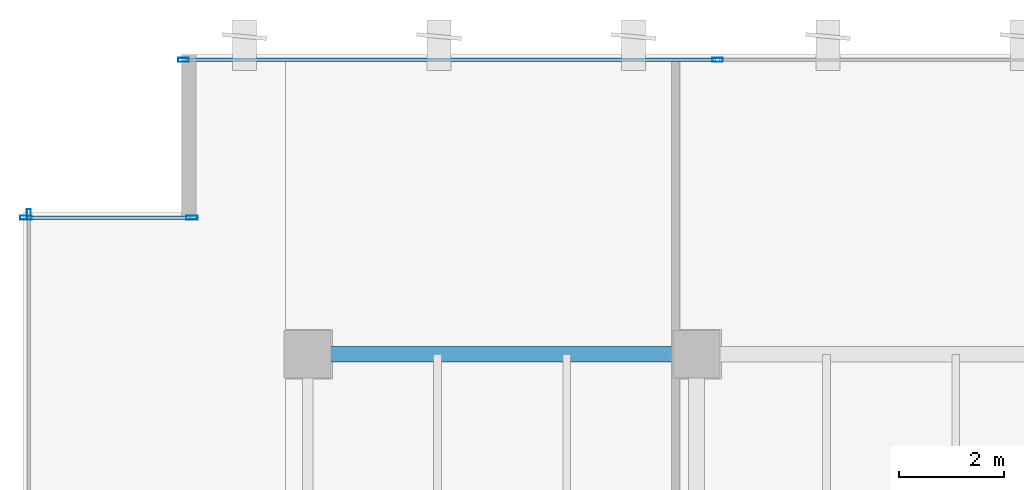
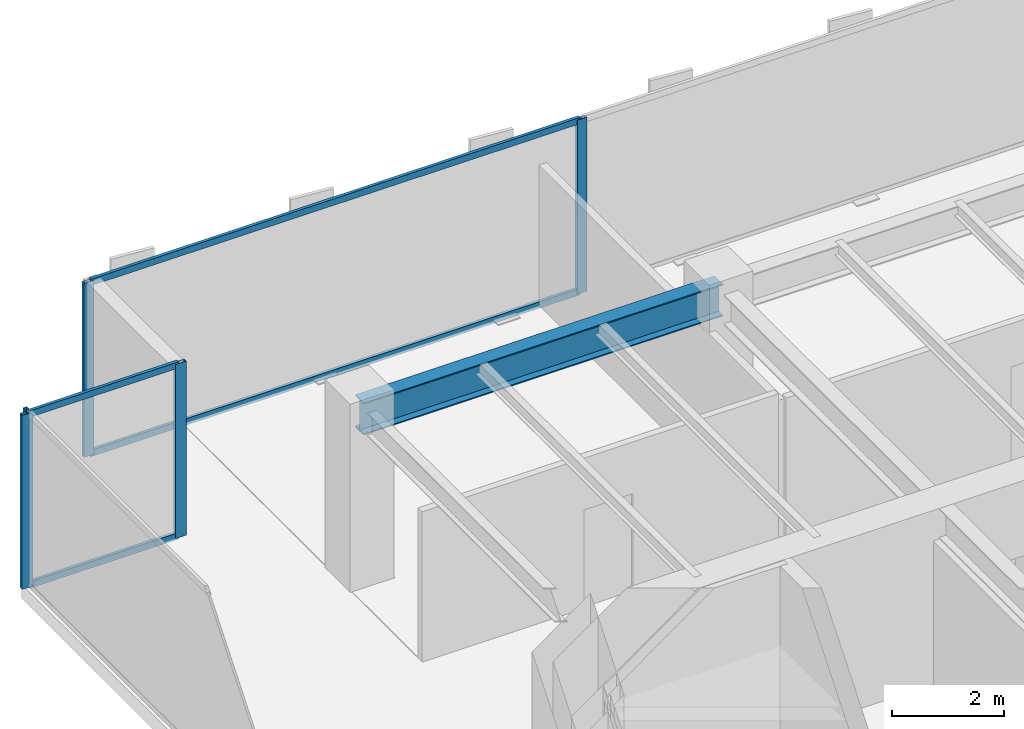
# One storey, part 14 of 34: 9 members, 1 beam, 3 elements without a shape of their own.
"""IFC4 building model written with IfcOpenShell, lengths in metres."""

from ifc_helpers import new_model, si_unit, direction, frame, origin, origin_2d, place, context, subcontext, project, spatial, hollow_rectangle, i_section, extrude, source, transform, mapped, material, layer, layer_set, material_profile, profile_set, type_object, type_shapes, element, aggregate, save


model = new_model("IFC4")

# Units and contexts
model_context = context("Model", 3, precision=1e-05, world=origin(), true_north=direction((0.0, 1.0)))
body_context = subcontext(model_context, "Body", "Model", "MODEL_VIEW")
ifc_project = project(units=[si_unit("LENGTHUNIT", "METRE"), si_unit("AREAUNIT", "SQUARE_METRE"), si_unit("VOLUMEUNIT", "CUBIC_METRE"), si_unit("PLANEANGLEUNIT", "RADIAN"), si_unit("MASSUNIT", "GRAM", prefix="KILO")], contexts=[model_context])

# Site, building, storey
site_placement = place(None, origin())
site = spatial("IfcSite", under=ifc_project, at=site_placement, CompositionType="ELEMENT")
building_placement = place(site_placement, origin())
building = spatial("IfcBuilding", under=site, at=building_placement, Name="Haelvirn Gate Laboratories", CompositionType="ELEMENT")
storey_placement = place(building_placement, frame((0.0, 0.0, 109.199951171875)))
storey = spatial("IfcBuildingStorey", under=building, at=storey_placement, Name="L26", CompositionType="ELEMENT", Elevation=109.199951171875)

# Beam
ifc_material_1 = material(Name="Steel SM355", Category="steel")
ifc_material_profile_1 = material_profile(ifc_material_1, i_section(OverallWidth=0.300048828125, OverallDepth=0.699951171875, WebThickness=0.012939453125, FlangeThickness=0.02392578125, at=origin_2d()), Name="H-700x300x13x24")
ifc_profile_set_1 = profile_set([ifc_material_profile_1], Name="Steel SM355")
beam_type = type_object("IfcBeamType", Name="BM-G-700", PredefinedType="BEAM", material=ifc_profile_set_1)
shared_shape_1 = source(origin(), body_context, "Body", "SweptSolid", [
    extrude(i_section(OverallWidth=0.300048828125, OverallDepth=0.699951171875, WebThickness=0.012939453125, FlangeThickness=0.02392578125, at=origin_2d()), origin(), (0.0, 0.0, 1.0), 7.400146484375),
])
type_shapes(beam_type, [shared_shape_1])
beam_placement = place(storey_placement, frame((7.39990234375, 41.60009765625, 3.43994140625), z_axis=(1.0, 0.0, 0.0), x_axis=(0.0, 1.0, 0.0)))
element("IfcBeam", 1, at=beam_placement, inside=storey, type_object=beam_type, Name="L26 Primary Girder Y41.6 (7.4-14.8)", PredefinedType="BEAM", context=body_context, shape_type="MappedRepresentation", body=[
    mapped(shared_shape_1, transform((0.0, 0.0, 0.0), scale=1.0)),
])

# Curtain wall, members
ifc_material_2 = material(Name="Anodised bronze unitised aluminium & triple low-E glass", Category="aluminium")
ifc_layer_1 = layer(ifc_material_2, 0.179931640625, Name="CW-SYS-3")
ifc_layer_set_1 = layer_set([ifc_layer_1], Name="Anodised bronze unitised aluminium & triple low-E glass")
curtain_wall_type_1 = type_object("IfcCurtainWallType", Name="CW-SYS-3", PredefinedType="NOTDEFINED", material=ifc_layer_set_1)
curtain_wall_1_placement = place(storey_placement, origin())
curtain_wall_1 = element("IfcCurtainWall", 2, at=curtain_wall_1_placement, inside=storey, type_object=curtain_wall_type_1, Name="L26 Unitised Curtain Wall CW-L26-P0-E14-1", PredefinedType="NOTDEFINED")
ifc_material_3 = material(Name="Extruded aluminium 6063-T6 (anodised bronze)", Category="aluminium")
ifc_material_profile_2 = material_profile(ifc_material_3, hollow_rectangle(XDim=0.06494140625, YDim=0.139892578125, WallThickness=0.00390625, at=origin_2d()), Name="CWT-140x65x4")
ifc_profile_set_2 = profile_set([ifc_material_profile_2], Name="Extruded aluminium 6063-T6 (anodised bronze)")
member_type_1 = type_object("IfcMemberType", Name="CWT-T140", PredefinedType="USERDEFINED", material=ifc_profile_set_2)
shared_shape_2 = source(origin(), body_context, "Body", "SweptSolid", [
    extrude(hollow_rectangle(XDim=0.06494140625, YDim=0.139892578125, WallThickness=0.00390625, at=origin_2d()), origin(), (0.0, 0.0, 1.0), 10.087646484375),
])
member_1_placement = place(storey_placement, frame((5.074951171875, 47.199951171875, 0.032470703125), z_axis=(1.0, 0.0, 0.0), x_axis=(0.0, 1.0, 0.0)))
member_1 = element("IfcMember", 3, at=member_1_placement, type_object=member_type_1, Name="CW3 transom 1.1", ObjectType="TRANSOM", PredefinedType="USERDEFINED", context=body_context, shape_type="MappedRepresentation", body=[
    mapped(shared_shape_2, transform((0.0, 0.0, 0.0), scale=1.0)),
])
member_2_placement = place(storey_placement, frame((5.074951171875, 47.199951171875, 3.757568359375), z_axis=(1.0, 0.0, 0.0), x_axis=(0.0, 1.0, 0.0)))
member_2 = element("IfcMember", 4, at=member_2_placement, type_object=member_type_1, Name="CW3 transom 1.2", ObjectType="TRANSOM", PredefinedType="USERDEFINED", context=body_context, shape_type="MappedRepresentation", body=[
    mapped(shared_shape_2, transform((0.0, 0.0, 0.0), scale=1.0)),
])

ifc_layer_2 = layer(ifc_material_2, 0.181884765625, Name="CW-SYS-5")
ifc_layer_set_2 = layer_set([ifc_layer_2], Name="Anodised bronze unitised aluminium & triple low-E glass")
curtain_wall_type_2 = type_object("IfcCurtainWallType", Name="CW-SYS-5", PredefinedType="NOTDEFINED", material=ifc_layer_set_2)
curtain_wall_2_placement = place(storey_placement, origin())
curtain_wall_2 = element("IfcCurtainWall", 5, at=curtain_wall_2_placement, inside=storey, type_object=curtain_wall_type_2, Name="L26 Unitised Curtain Wall CW-L26-P0-E16-1", PredefinedType="NOTDEFINED")
shared_shape_3 = source(origin(), body_context, "Body", "SweptSolid", [
    extrude(hollow_rectangle(XDim=0.06494140625, YDim=0.139892578125, WallThickness=0.00390625, at=origin_2d()), origin(), (0.0, 0.0, 1.0), 3.079833984375),
])
type_shapes(member_type_1, [shared_shape_2, shared_shape_3])
member_3_placement = place(storey_placement, frame((2.080078125, 44.199951171875, 0.032470703125), z_axis=(1.0, 0.0, 0.0), x_axis=(0.0, 1.0, 0.0)))
member_3 = element("IfcMember", 6, at=member_3_placement, type_object=member_type_1, Name="CW5 transom 1.1", ObjectType="TRANSOM", PredefinedType="USERDEFINED", context=body_context, shape_type="MappedRepresentation", body=[
    mapped(shared_shape_3, transform((0.0, 0.0, 0.0), scale=1.0)),
])
member_4_placement = place(storey_placement, frame((2.080078125, 44.199951171875, 3.757568359375), z_axis=(1.0, 0.0, 0.0), x_axis=(0.0, 1.0, 0.0)))
member_4 = element("IfcMember", 7, at=member_4_placement, type_object=member_type_1, Name="CW5 transom 1.2", ObjectType="TRANSOM", PredefinedType="USERDEFINED", context=body_context, shape_type="MappedRepresentation", body=[
    mapped(shared_shape_3, transform((0.0, 0.0, 0.0), scale=1.0)),
])

# Member
ifc_material_profile_3 = material_profile(ifc_material_3, hollow_rectangle(XDim=0.074951171875, YDim=0.199951171875, WallThickness=0.0048828125, at=origin_2d()), Name="CWM-200x75x5")
ifc_profile_set_3 = profile_set([ifc_material_profile_3], Name="Extruded aluminium 6063-T6 (anodised bronze)")
member_type_2 = type_object("IfcMemberType", Name="CWM-T200", PredefinedType="MULLION", material=ifc_profile_set_3)
shared_shape_4 = source(origin(), body_context, "Body", "SweptSolid", [
    extrude(hollow_rectangle(XDim=0.074951171875, YDim=0.199951171875, WallThickness=0.0048828125, at=origin_2d()), origin(), (0.0, 0.0, 1.0), 3.7900390625),
])
type_shapes(member_type_2, [shared_shape_4])
member_5_placement = place(storey_placement, frame((5.03759765625, 47.199951171875, 0.0), z_axis=(0.0, 0.0, 1.0), x_axis=(0.0, 1.0, 0.0)))
member_5 = element("IfcMember", 8, at=member_5_placement, type_object=member_type_2, Name="CW3 mullion 1", PredefinedType="MULLION", context=body_context, shape_type="MappedRepresentation", body=[
    mapped(shared_shape_4, transform((0.0, 0.0, 0.0), scale=1.0)),
])

member_6_placement = place(storey_placement, frame((15.199951171875, 47.199951171875, 0.0), z_axis=(0.0, 0.0, 1.0), x_axis=(0.0, 1.0, 0.0)))
member_6 = element("IfcMember", 9, at=member_6_placement, type_object=member_type_2, Name="CW3 mullion 2", PredefinedType="MULLION", context=body_context, shape_type="MappedRepresentation", body=[
    mapped(shared_shape_4, transform((0.0, 0.0, 0.0), scale=1.0)),
])

aggregate(curtain_wall_1, [member_5, member_6, member_1, member_2])

# Curtain wall, member
curtain_wall_3_placement = place(storey_placement, origin())
curtain_wall_3 = element("IfcCurtainWall", 10, at=curtain_wall_3_placement, inside=storey, type_object=curtain_wall_type_1, Name="L26 Unitised Curtain Wall CW-L26-P0-E17", PredefinedType="NOTDEFINED")
member_7_placement = place(storey_placement, frame((2.10009765625, 44.262451171875, 0.0), z_axis=(0.0, 0.0, 1.0), x_axis=(1.0, 0.0, 0.0)))
member_7 = element("IfcMember", 11, at=member_7_placement, type_object=member_type_2, Name="CW3 mullion 1", PredefinedType="MULLION", context=body_context, shape_type="MappedRepresentation", body=[
    mapped(shared_shape_4, transform((0.0, 0.0, 0.0), scale=1.0)),
])
aggregate(curtain_wall_3, [member_7])

# Member
ifc_material_profile_4 = material_profile(ifc_material_3, hollow_rectangle(XDim=0.080078125, YDim=0.219970703125, WallThickness=0.006103515625, at=origin_2d()), Name="CWM-220x80x6")
ifc_profile_set_4 = profile_set([ifc_material_profile_4], Name="Extruded aluminium 6063-T6 (anodised bronze)")
member_type_3 = type_object("IfcMemberType", Name="CWM-T220", PredefinedType="MULLION", material=ifc_profile_set_4)
shared_shape_5 = source(origin(), body_context, "Body", "SweptSolid", [
    extrude(hollow_rectangle(XDim=0.080078125, YDim=0.219970703125, WallThickness=0.006103515625, at=origin_2d()), origin(), (0.0, 0.0, 1.0), 3.7900390625),
])
type_shapes(member_type_3, [shared_shape_5])
member_8_placement = place(storey_placement, frame((2.0400390625, 44.199951171875, 0.0), z_axis=(0.0, 0.0, 1.0), x_axis=(0.0, 1.0, 0.0)))
member_8 = element("IfcMember", 12, at=member_8_placement, type_object=member_type_3, Name="CW5 mullion 1", PredefinedType="MULLION", context=body_context, shape_type="MappedRepresentation", body=[
    mapped(shared_shape_5, transform((0.0, 0.0, 0.0), scale=1.0)),
])

member_9_placement = place(storey_placement, frame((5.199951171875, 44.199951171875, 0.0), z_axis=(0.0, 0.0, 1.0), x_axis=(0.0, 1.0, 0.0)))
member_9 = element("IfcMember", 13, at=member_9_placement, type_object=member_type_3, Name="CW5 mullion 2", PredefinedType="MULLION", context=body_context, shape_type="MappedRepresentation", body=[
    mapped(shared_shape_5, transform((0.0, 0.0, 0.0), scale=1.0)),
])

aggregate(curtain_wall_2, [member_8, member_9, member_3, member_4])

save(model, "model.ifc")
